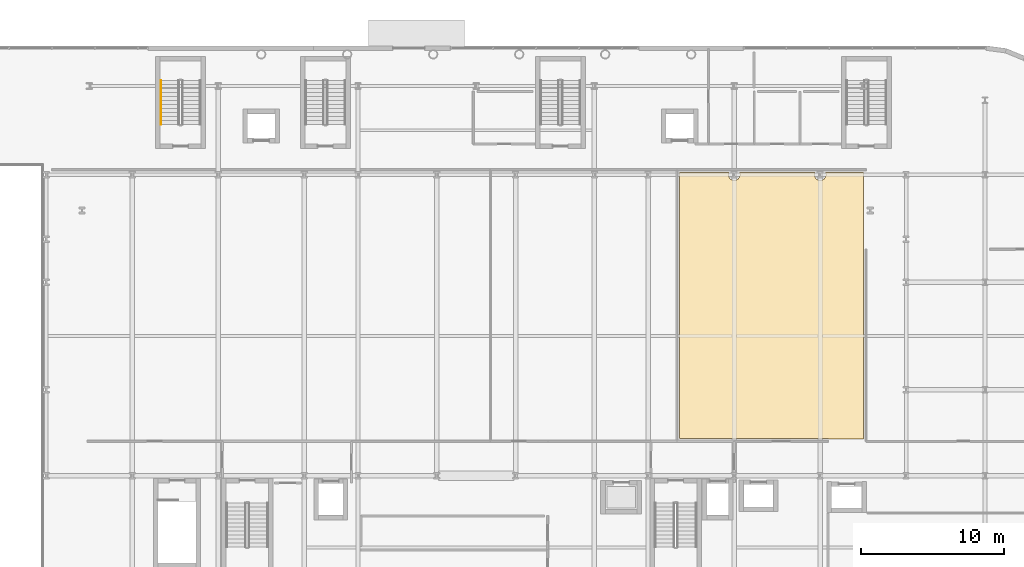
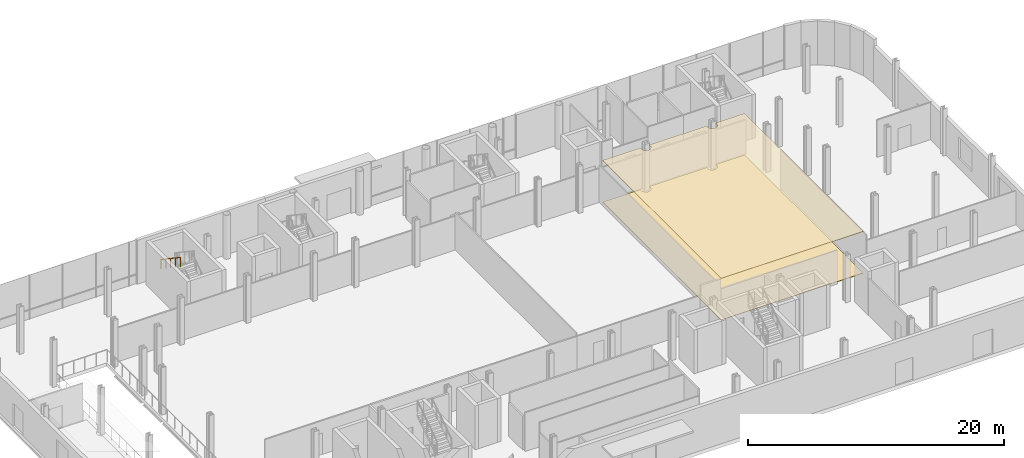
# One storey, part 25 of 28: 2 coverings, 1 railing.
"""IFC4 building model written with IfcOpenShell, lengths in metres."""

from ifc_helpers import new_model, si_unit, direction, frame, origin, origin_2d, place, context, subcontext, project, spatial, polyline, circle, outline, extrude, material, layer, layer_set, type_object, element, save


model = new_model("IFC4")

# Units and contexts
model_context = context("Model", 3, precision=1e-05, world=origin(), true_north=direction((0.0, 1.0)))
body_context = subcontext(model_context, "Body", "Model", "MODEL_VIEW")
ifc_project = project(units=[si_unit("LENGTHUNIT", "METRE"), si_unit("AREAUNIT", "SQUARE_METRE"), si_unit("VOLUMEUNIT", "CUBIC_METRE"), si_unit("PLANEANGLEUNIT", "RADIAN"), si_unit("MASSUNIT", "GRAM", prefix="KILO")], contexts=[model_context])

# Site, building, storey
site_placement = place(None, origin())
site = spatial("IfcSite", under=ifc_project, at=site_placement, CompositionType="ELEMENT")
building_placement = place(site_placement, origin())
building = spatial("IfcBuilding", under=site, at=building_placement, Name="Brevholm Reach", CompositionType="ELEMENT")
storey_placement = place(building_placement, origin())
storey = spatial("IfcBuildingStorey", under=building, at=storey_placement, Name="L00", CompositionType="ELEMENT", Elevation=0.0)

# Coverings
ifc_material_1 = material(Name="Perforated Mineral-Fibre Class-A Acoustic Suspended Ceiling", Category="gypsum")
ifc_layer_1 = layer(ifc_material_1, 0.044921875)
ifc_layer_set_1 = layer_set([ifc_layer_1], Name="Perforated Mineral-Fibre Class-A Acoustic Suspended Ceiling")
covering_type_1 = type_object("IfcCoveringType", Name="COV-CLG-AC", PredefinedType="CEILING", material=ifc_layer_set_1)
covering_1_placement = place(storey_placement, frame((0.0, 0.0, 3.965087890625)))
element("IfcCovering", 1, at=covering_1_placement, inside=storey, type_object=covering_type_1, Name="L00 Suspended Ceiling L00-42", PredefinedType="CEILING", context=body_context, shape_type="SweptSolid", body=[
    extrude(outline(polyline([(54.585205078125, 12.58056640625), (54.567626953125, 12.5830078125), (54.550048828125, 12.583984375), (44.18408203125, 12.583984375), (44.18408203125, 31.166015625), (47.63671875, 31.166015625), (47.63037109375, 31.153076171875), (47.6171875, 31.1162109375), (47.607666015625, 31.077880859375), (47.601806640625, 31.039306640625), (47.60009765625, 31.0), (47.601806640625, 30.960693359375), (47.607666015625, 30.922119140625), (47.6171875, 30.8837890625), (47.63037109375, 30.846923828125), (47.647216796875, 30.811279296875), (47.66748046875, 30.77783203125), (47.69091796875, 30.74609375), (47.71728515625, 30.71728515625), (47.74609375, 30.69091796875), (47.77783203125, 30.66748046875), (47.811279296875, 30.647216796875), (47.846923828125, 30.63037109375), (47.8837890625, 30.6171875), (47.922119140625, 30.607666015625), (47.960693359375, 30.601806640625), (48.0, 30.60009765625), (48.039306640625, 30.601806640625), (48.077880859375, 30.607666015625), (48.1162109375, 30.6171875), (48.153076171875, 30.63037109375), (48.188720703125, 30.647216796875), (48.22216796875, 30.66748046875), (48.25390625, 30.69091796875), (48.28271484375, 30.71728515625), (48.30908203125, 30.74609375), (48.33251953125, 30.77783203125), (48.352783203125, 30.811279296875), (48.36962890625, 30.846923828125), (48.3828125, 30.8837890625), (48.392333984375, 30.922119140625), (48.398193359375, 30.960693359375), (48.39990234375, 31.0), (48.398193359375, 31.039306640625), (48.392333984375, 31.077880859375), (48.3828125, 31.1162109375), (48.36962890625, 31.153076171875), (48.36328125, 31.166015625), (53.63671875, 31.166015625), (53.63037109375, 31.153076171875), (53.6171875, 31.1162109375), (53.607666015625, 31.077880859375), (53.601806640625, 31.039306640625), (53.60009765625, 31.0), (53.601806640625, 30.960693359375), (53.607666015625, 30.922119140625), (53.6171875, 30.8837890625), (53.63037109375, 30.846923828125), (53.647216796875, 30.811279296875), (53.66748046875, 30.77783203125), (53.69091796875, 30.74609375), (53.71728515625, 30.71728515625), (53.74609375, 30.69091796875), (53.77783203125, 30.66748046875), (53.811279296875, 30.647216796875), (53.846923828125, 30.63037109375), (53.8837890625, 30.6171875), (53.922119140625, 30.607666015625), (53.960693359375, 30.601806640625), (54.0, 30.60009765625), (54.039306640625, 30.601806640625), (54.077880859375, 30.607666015625), (54.1162109375, 30.6171875), (54.153076171875, 30.63037109375), (54.188720703125, 30.647216796875), (54.22216796875, 30.66748046875), (54.25390625, 30.69091796875), (54.28271484375, 30.71728515625), (54.30908203125, 30.74609375), (54.33251953125, 30.77783203125), (54.352783203125, 30.811279296875), (54.36962890625, 30.846923828125), (54.3828125, 30.8837890625), (54.392333984375, 30.922119140625), (54.398193359375, 30.960693359375), (54.39990234375, 31.0), (54.398193359375, 31.039306640625), (54.392333984375, 31.077880859375), (54.3828125, 31.1162109375), (54.36962890625, 31.153076171875), (54.36328125, 31.166015625), (57.02001953125, 31.166015625), (57.02001953125, 12.580078125), (54.58740234375, 12.580078125), (54.585205078125, 12.58056640625)])), origin(), (0.0, 0.0, 1.0), 0.044921875),
])
ifc_material_2 = material(Name="Honed Portland-Aggregate Resin Terrazzo Flooring", Category="concrete")
ifc_layer_2 = layer(ifc_material_2, 0.031982421875)
ifc_layer_set_2 = layer_set([ifc_layer_2], Name="Honed Portland-Aggregate Resin Terrazzo Flooring")
covering_type_2 = type_object("IfcCoveringType", Name="COV-FLR-TRZ", PredefinedType="FLOORING", material=ifc_layer_set_2)
covering_2_placement = place(storey_placement, origin())
element("IfcCovering", 2, at=covering_2_placement, inside=storey, type_object=covering_type_2, Name="L00 Floor Finish L00-42", PredefinedType="FLOORING", context=body_context, shape_type="SweptSolid", body=[
    extrude(outline(polyline([(54.585205078125, 12.58056640625), (54.567626953125, 12.5830078125), (54.550048828125, 12.583984375), (44.18408203125, 12.583984375), (44.18408203125, 31.166015625), (47.63671875, 31.166015625), (47.63037109375, 31.153076171875), (47.6171875, 31.1162109375), (47.607666015625, 31.077880859375), (47.601806640625, 31.039306640625), (47.60009765625, 31.0), (47.601806640625, 30.960693359375), (47.607666015625, 30.922119140625), (47.6171875, 30.8837890625), (47.63037109375, 30.846923828125), (47.647216796875, 30.811279296875), (47.66748046875, 30.77783203125), (47.69091796875, 30.74609375), (47.71728515625, 30.71728515625), (47.74609375, 30.69091796875), (47.77783203125, 30.66748046875), (47.811279296875, 30.647216796875), (47.846923828125, 30.63037109375), (47.8837890625, 30.6171875), (47.922119140625, 30.607666015625), (47.960693359375, 30.601806640625), (48.0, 30.60009765625), (48.039306640625, 30.601806640625), (48.077880859375, 30.607666015625), (48.1162109375, 30.6171875), (48.153076171875, 30.63037109375), (48.188720703125, 30.647216796875), (48.22216796875, 30.66748046875), (48.25390625, 30.69091796875), (48.28271484375, 30.71728515625), (48.30908203125, 30.74609375), (48.33251953125, 30.77783203125), (48.352783203125, 30.811279296875), (48.36962890625, 30.846923828125), (48.3828125, 30.8837890625), (48.392333984375, 30.922119140625), (48.398193359375, 30.960693359375), (48.39990234375, 31.0), (48.398193359375, 31.039306640625), (48.392333984375, 31.077880859375), (48.3828125, 31.1162109375), (48.36962890625, 31.153076171875), (48.36328125, 31.166015625), (53.63671875, 31.166015625), (53.63037109375, 31.153076171875), (53.6171875, 31.1162109375), (53.607666015625, 31.077880859375), (53.601806640625, 31.039306640625), (53.60009765625, 31.0), (53.601806640625, 30.960693359375), (53.607666015625, 30.922119140625), (53.6171875, 30.8837890625), (53.63037109375, 30.846923828125), (53.647216796875, 30.811279296875), (53.66748046875, 30.77783203125), (53.69091796875, 30.74609375), (53.71728515625, 30.71728515625), (53.74609375, 30.69091796875), (53.77783203125, 30.66748046875), (53.811279296875, 30.647216796875), (53.846923828125, 30.63037109375), (53.8837890625, 30.6171875), (53.922119140625, 30.607666015625), (53.960693359375, 30.601806640625), (54.0, 30.60009765625), (54.039306640625, 30.601806640625), (54.077880859375, 30.607666015625), (54.1162109375, 30.6171875), (54.153076171875, 30.63037109375), (54.188720703125, 30.647216796875), (54.22216796875, 30.66748046875), (54.25390625, 30.69091796875), (54.28271484375, 30.71728515625), (54.30908203125, 30.74609375), (54.33251953125, 30.77783203125), (54.352783203125, 30.811279296875), (54.36962890625, 30.846923828125), (54.3828125, 30.8837890625), (54.392333984375, 30.922119140625), (54.398193359375, 30.960693359375), (54.39990234375, 31.0), (54.398193359375, 31.039306640625), (54.392333984375, 31.077880859375), (54.3828125, 31.1162109375), (54.36962890625, 31.153076171875), (54.36328125, 31.166015625), (57.02001953125, 31.166015625), (57.02001953125, 12.580078125), (54.58740234375, 12.580078125), (54.585205078125, 12.58056640625)])), origin(), (0.0, 0.0, 1.0), 0.031982421875),
])

# Railing
ifc_material_3 = material(Name="Brushed Stainless Steel EN 1.4401 Continuous Handrail", Category="steel")
railing_type = type_object("IfcRailingType", Name="RAL-HND-950", PredefinedType="HANDRAIL", material=ifc_material_3)
railing_placement = place(storey_placement, frame((8.0, 37.580078125, 2.4375)))
element("IfcRailing", 3, at=railing_placement, inside=storey, type_object=railing_type, Name="L00 ST-S1 stair handrail 2", PredefinedType="HANDRAIL", context=body_context, shape_type="SweptSolid", body=[
    extrude(circle(Radius=0.02392578125, at=origin_2d()), frame((0.0, 0.0, 0.8857421875), z_axis=(0.0, -0.830913701846, 0.55640131208), x_axis=(1.0, 0.0, 0.0)), (0.0, 0.0, 1.0), 3.706787109375),
    extrude(circle(Radius=0.02099609375, at=origin_2d()), origin(), (0.0, 0.0, 1.0), 0.86181640625),
    extrude(circle(Radius=0.02099609375, at=origin_2d()), frame((0.0, -0.77001953125, 0.515625)), (0.0, 0.0, 1.0), 0.86181640625),
    extrude(circle(Radius=0.02099609375, at=origin_2d()), frame((0.0, -1.5400390625, 1.03125)), (0.0, 0.0, 1.0), 0.86181640625),
    extrude(circle(Radius=0.02099609375, at=origin_2d()), frame((0.0, -2.31005859375, 1.546875)), (0.0, 0.0, 1.0), 0.86181640625),
    extrude(circle(Radius=0.02099609375, at=origin_2d()), frame((0.0, -3.080078125, 2.0625)), (0.0, 0.0, 1.0), 0.86181640625),
])

save(model, "model.ifc")
